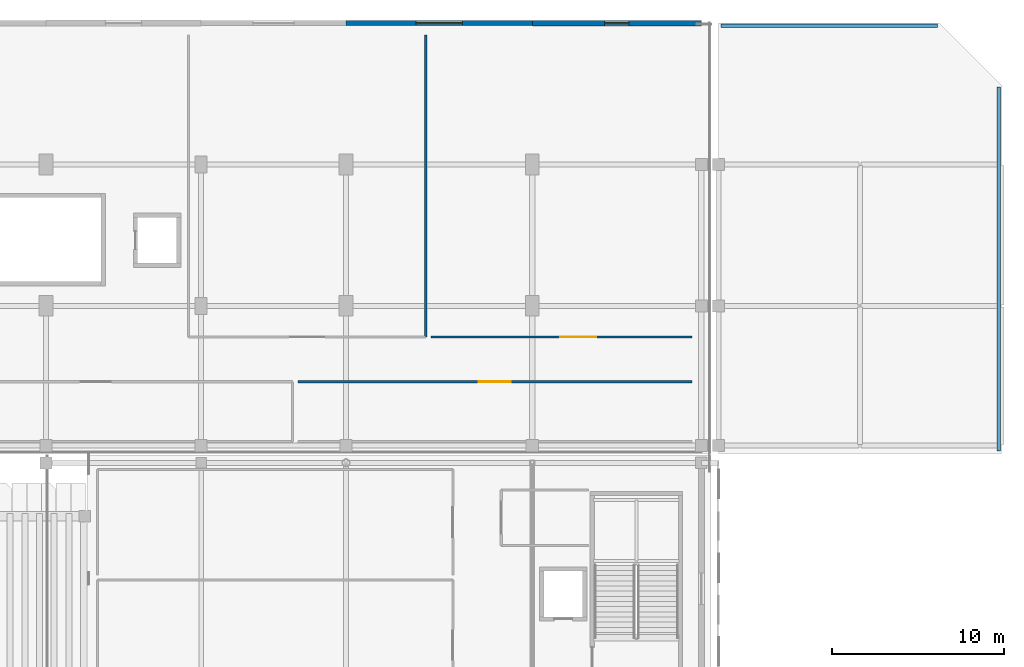
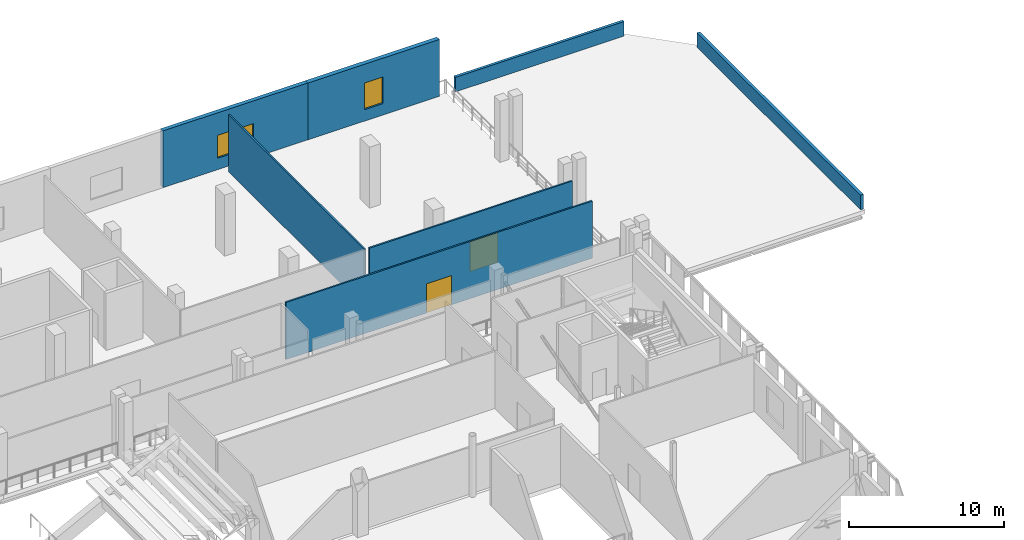
# One storey, part 44 of 74: 7 walls, 2 doors, 2 windows, 4 openings.
"""IFC4 building model written with IfcOpenShell, lengths in metres."""

from ifc_helpers import new_model, si_unit, direction, frame, frame_2d, origin, place, context, subcontext, project, spatial, rectangle, extrude, material, layer, layer_set, type_object, element, fill, save


model = new_model("IFC4")

# Units and contexts
model_context = context("Model", 3, precision=1e-05, world=origin(), true_north=direction((0.0, 1.0)))
body_context = subcontext(model_context, "Body", "Model", "MODEL_VIEW")
ifc_project = project(units=[si_unit("LENGTHUNIT", "METRE"), si_unit("AREAUNIT", "SQUARE_METRE"), si_unit("VOLUMEUNIT", "CUBIC_METRE"), si_unit("PLANEANGLEUNIT", "RADIAN"), si_unit("MASSUNIT", "GRAM", prefix="KILO")], contexts=[model_context])

# Site, building, storey
site_placement = place(None, origin())
site = spatial("IfcSite", under=ifc_project, at=site_placement, CompositionType="ELEMENT")
building_placement = place(site_placement, origin())
building = spatial("IfcBuilding", under=site, at=building_placement, Name="Koshinbarg Plaza Stadium", CompositionType="ELEMENT")
storey_placement = place(building_placement, frame((0.0, 0.0, 15.0)))
storey = spatial("IfcBuildingStorey", under=building, at=storey_placement, Name="L03", CompositionType="ELEMENT", Elevation=15.0)

# Wall, opening, window
ifc_material_1 = material(Name="Off-white mineral plaster insulated wall", Category="masonry")
ifc_layer_1 = layer(ifc_material_1, 0.300048828125)
ifc_layer_set_1 = layer_set([ifc_layer_1], Name="Off-white mineral plaster insulated wall")
wall_type_1 = type_object("IfcWallType", Name="WL-EXT-300", PredefinedType="SOLIDWALL", material=ifc_layer_set_1)
wall_1_placement = place(storey_placement, frame((197.800048828125, 152.0, 0.0), z_axis=(0.0, 0.0, 1.0), x_axis=(1.0, 0.0, 0.0)))
wall_1 = element("IfcWall", 1, at=wall_1_placement, inside=storey, type_object=wall_type_1, Name="L03 exterior envelope wall EWL-L03-0173", PredefinedType="SOLIDWALL", context=body_context, shape_type="SweptSolid", body=[
    extrude(rectangle(XDim=10.800048828125, YDim=0.300048828125, at=frame_2d((5.39990234375, 0.0))), origin(), (0.0, 0.0, 1.0), 4.47998046875),
])
opening_1_placement = place(wall_1_placement, frame((4.050048828125, 0.0, 0.89990234375)))
opening_1 = element("IfcOpeningElement", 2, at=opening_1_placement, cuts=wall_1, Name="Opening WN12", PredefinedType="OPENING", context=body_context, shape_type="SweptSolid", body=[
    extrude(rectangle(XDim=2.699951171875, YDim=1.800048828125, at=frame_2d((1.35009765625, 0.89990234375))), frame((0.0, 0.159912109375, 0.0), z_axis=(0.0, -1.0, 0.0), x_axis=(1.0, 0.0, 0.0)), (0.0, 0.0, 1.0), 0.320068359375),
])
ifc_material_2 = material(Name="Solar-control double glazing in thermally broken aluminium frame", Category="aluminium")
window_type_1 = type_object("IfcWindowType", Name="WN-FAC-12", PartitioningType="DOUBLE_PANEL_VERTICAL", PredefinedType="WINDOW", material=ifc_material_2)
window_1_placement = place(opening_1_placement, origin())
window_1 = element("IfcWindow", 3, at=window_1_placement, inside=storey, type_object=window_type_1, Name="L03 facade window 0106", OverallHeight=1.800048828125, OverallWidth=2.699951171875, PartitioningType="SINGLE_PANEL", PredefinedType="WINDOW", context=body_context, shape_type="SweptSolid", body=[
    extrude(rectangle(XDim=2.699951171875, YDim=1.800048828125, at=frame_2d((1.35009765625, 0.89990234375))), frame((0.0, 0.030029296875, 0.0), z_axis=(0.0, -1.0, 0.0), x_axis=(1.0, 0.0, 0.0)), (0.0, 0.0, 1.0), 0.06005859375),
])
fill(opening_1, window_1)

ifc_material_3 = material(Name="Ultramarine-blue pigmented mineral plaster facade wall", Category="masonry")
ifc_layer_2 = layer(ifc_material_3, 0.320068359375)
ifc_layer_set_2 = layer_set([ifc_layer_2], Name="Ultramarine-blue pigmented mineral plaster facade wall")
wall_type_2 = type_object("IfcWallType", Name="WL-EXT-320", PredefinedType="SOLIDWALL", material=ifc_layer_set_2)
wall_2_placement = place(storey_placement, frame((208.60009765625, 152.0, 0.0), z_axis=(0.0, 0.0, 1.0), x_axis=(1.0, 0.0, 0.0)))
wall_2 = element("IfcWall", 4, at=wall_2_placement, inside=storey, type_object=wall_type_2, Name="L03 exterior envelope wall EWL-L03-0174", PredefinedType="SOLIDWALL", context=body_context, shape_type="SweptSolid", body=[
    extrude(rectangle(XDim=9.7998046875, YDim=0.320068359375, at=frame_2d((4.89990234375, 0.0))), origin(), (0.0, 0.0, 1.0), 4.47998046875),
])
opening_2_placement = place(wall_2_placement, frame((4.199951171875, 0.0, 0.89990234375)))
opening_2 = element("IfcOpeningElement", 5, at=opening_2_placement, cuts=wall_2, Name="Opening WN13", PredefinedType="OPENING", context=body_context, shape_type="SweptSolid", body=[
    extrude(rectangle(XDim=1.39990234375, YDim=2.10009765625, at=frame_2d((0.699951171875, 1.050048828125))), frame((0.0, 0.169921875, 0.0), z_axis=(0.0, -1.0, 0.0), x_axis=(1.0, 0.0, 0.0)), (0.0, 0.0, 1.0), 0.340087890625),
])
window_type_2 = type_object("IfcWindowType", Name="WN-FAC-13", PartitioningType="DOUBLE_PANEL_VERTICAL", PredefinedType="WINDOW", material=ifc_material_2)
window_2_placement = place(opening_2_placement, origin())
window_2 = element("IfcWindow", 6, at=window_2_placement, inside=storey, type_object=window_type_2, Name="L03 facade window 0107", OverallHeight=2.10009765625, OverallWidth=1.39990234375, PartitioningType="SINGLE_PANEL", PredefinedType="WINDOW", context=body_context, shape_type="SweptSolid", body=[
    extrude(rectangle(XDim=1.39990234375, YDim=2.10009765625, at=frame_2d((0.699951171875, 1.050048828125))), frame((0.0, 0.030029296875, 0.0), z_axis=(0.0, -1.0, 0.0), x_axis=(1.0, 0.0, 0.0)), (0.0, 0.0, 1.0), 0.06005859375),
])
fill(opening_2, window_2)

# Walls
ifc_material_4 = material(Name="Precast concrete C40/50", Category="concrete")
ifc_layer_3 = layer(ifc_material_4, 0.199951171875)
ifc_layer_set_3 = layer_set([ifc_layer_3], Name="Precast concrete C40/50")
wall_type_3 = type_object("IfcWallType", Name="WL-PAR-200", PredefinedType="PARAPET", material=ifc_layer_set_3)
wall_3_placement = place(storey_placement, frame((219.550048828125, 151.85009765625, 0.0), z_axis=(0.0, 0.0, 1.0), x_axis=(1.0, 0.0, 0.0)))
element("IfcWall", 7, at=wall_3_placement, inside=storey, type_object=wall_type_3, Name="L03 stepped pavilion roof parapet 038", PredefinedType="PARAPET", context=body_context, shape_type="SweptSolid", body=[
    extrude(rectangle(XDim=12.550048828125, YDim=0.199951171875, at=frame_2d((6.27490234375, 0.0))), origin(), (0.0, 0.0, 1.0), 1.14990234375),
])
ifc_layer_4 = layer(ifc_material_4, 0.219970703125)
ifc_layer_set_4 = layer_set([ifc_layer_4], Name="Precast concrete C40/50")
wall_type_4 = type_object("IfcWallType", Name="WL-PAR-220", PredefinedType="PARAPET", material=ifc_layer_set_4)
wall_4_placement = place(storey_placement, frame((235.64990234375, 148.300048828125, 0.0), z_axis=(0.0, 0.0, 1.0), x_axis=(0.0, -1.0, 0.0)))
element("IfcWall", 8, at=wall_4_placement, inside=storey, type_object=wall_type_4, Name="L03 stepped pavilion roof parapet 039", PredefinedType="PARAPET", context=body_context, shape_type="SweptSolid", body=[
    extrude(rectangle(XDim=21.10009765625, YDim=0.219970703125, at=frame_2d((10.550048828125, 0.0))), origin(), (0.0, 0.0, 1.0), 1.14990234375),
])

# Wall, opening, door
ifc_material_5 = material(Name="Gypsum board metal-stud acoustic partition")
ifc_layer_5 = layer(ifc_material_5, 0.1201171875)
ifc_layer_set_5 = layer_set([ifc_layer_5], Name="Gypsum board metal-stud acoustic partition")
wall_type_5 = type_object("IfcWallType", Name="WL-PART-120", PredefinedType="PARTITIONING", material=ifc_layer_set_5)
wall_5_placement = place(storey_placement, frame((217.85009765625, 131.199951171875, 0.0), z_axis=(0.0, 0.0, 1.0), x_axis=(-1.0, 0.0, 0.0)))
wall_5 = element("IfcWall", 9, at=wall_5_placement, inside=storey, type_object=wall_type_5, Name="L03 interior partition L03-112-north IWL-L03-2047", PredefinedType="PARTITIONING", context=body_context, shape_type="SweptSolid", body=[
    extrude(rectangle(XDim=22.840087890625, YDim=0.1201171875, at=frame_2d((11.419921875, 0.0))), origin(), (0.0, 0.0, 1.0), 4.5),
])
opening_3_placement = place(wall_5_placement, frame((10.489990234375, 0.0, 0.0)))
opening_3 = element("IfcOpeningElement", 10, at=opening_3_placement, cuts=wall_5, Name="Opening D-0702", PredefinedType="OPENING", context=body_context, shape_type="SweptSolid", body=[
    extrude(rectangle(XDim=1.860107421875, YDim=2.300048828125, at=frame_2d((0.93017578125, 1.14990234375))), frame((0.0, 0.070068359375, 0.0), z_axis=(0.0, -1.0, 0.0), x_axis=(1.0, 0.0, 0.0)), (0.0, 0.0, 1.0), 0.14013671875),
])
ifc_material_6 = material(Name="Acoustic solid-core walnut veneer fire door")
door_type_1 = type_object("IfcDoorType", Name="DR-INT-1860x2300", OperationType="NOTDEFINED", PredefinedType="DOOR", material=ifc_material_6)
door_1_placement = place(opening_3_placement, origin())
door_1 = element("IfcDoor", 11, at=door_1_placement, inside=storey, type_object=door_type_1, Name="L03 North Garden Pavilion Salon door D-0702", OperationType="DOUBLE_DOOR_SINGLE_SWING", OverallHeight=2.300048828125, OverallWidth=1.860107421875, PredefinedType="DOOR", context=body_context, shape_type="SweptSolid", body=[
    extrude(rectangle(XDim=1.860107421875, YDim=2.300048828125, at=frame_2d((0.93017578125, 1.14990234375))), frame((0.0, 0.02490234375, 0.0), z_axis=(0.0, -1.0, 0.0), x_axis=(1.0, 0.0, 0.0)), (0.0, 0.0, 1.0), 0.050048828125),
])
fill(opening_3, door_1)

# Wall
wall_6_placement = place(storey_placement, frame((202.42333984375, 133.800048828125, 0.0), z_axis=(0.0, 0.0, 1.0), x_axis=(0.0, 1.0, 0.0)))
element("IfcWall", 12, at=wall_6_placement, inside=storey, type_object=wall_type_5, Name="L03 interior partition L03-113-east IWL-L03-2049", PredefinedType="PARTITIONING", context=body_context, shape_type="SweptSolid", body=[
    extrude(rectangle(XDim=17.5, YDim=0.1201171875, at=frame_2d((8.75, 0.0))), origin(), (0.0, 0.0, 1.0), 4.5),
])

# Wall, opening, door
wall_7_placement = place(storey_placement, frame((202.723388671875, 133.800048828125, 0.0), z_axis=(0.0, 0.0, 1.0), x_axis=(1.0, 0.0, 0.0)))
wall_7 = element("IfcWall", 13, at=wall_7_placement, inside=storey, type_object=wall_type_5, Name="L03 interior partition L03-114-south IWL-L03-2051", PredefinedType="PARTITIONING", context=body_context, shape_type="SweptSolid", body=[
    extrude(rectangle(XDim=15.126708984375, YDim=0.1201171875, at=frame_2d((7.5634765625, 0.0))), origin(), (0.0, 0.0, 1.0), 4.5),
])
opening_4_placement = place(wall_7_placement, frame((7.510986328125, 0.0, 0.0)))
opening_4 = element("IfcOpeningElement", 14, at=opening_4_placement, cuts=wall_7, Name="Opening D-0704", PredefinedType="OPENING", context=body_context, shape_type="SweptSolid", body=[
    extrude(rectangle(XDim=2.080078125, YDim=2.35009765625, at=frame_2d((1.0400390625, 1.175048828125))), frame((0.0, 0.070068359375, 0.0), z_axis=(0.0, -1.0, 0.0), x_axis=(1.0, 0.0, 0.0)), (0.0, 0.0, 1.0), 0.14013671875),
])
ifc_material_7 = material(Name="Laminated safety glass aluminium vestibule door", Category="aluminium")
door_type_2 = type_object("IfcDoorType", Name="DR-INT-2080x2350", OperationType="NOTDEFINED", PredefinedType="DOOR", material=ifc_material_7)
door_2_placement = place(opening_4_placement, origin())
door_2 = element("IfcDoor", 15, at=door_2_placement, inside=storey, type_object=door_type_2, Name="L03 Trophy Exhibition Hall door D-0704", OperationType="DOUBLE_DOOR_SINGLE_SWING", OverallHeight=2.35009765625, OverallWidth=2.080078125, PredefinedType="DOOR", context=body_context, shape_type="SweptSolid", body=[
    extrude(rectangle(XDim=2.080078125, YDim=2.35009765625, at=frame_2d((1.0400390625, 1.175048828125))), frame((0.0, 0.02490234375, 0.0), z_axis=(0.0, -1.0, 0.0), x_axis=(1.0, 0.0, 0.0)), (0.0, 0.0, 1.0), 0.050048828125),
])
fill(opening_4, door_2)

save(model, "model.ifc")
